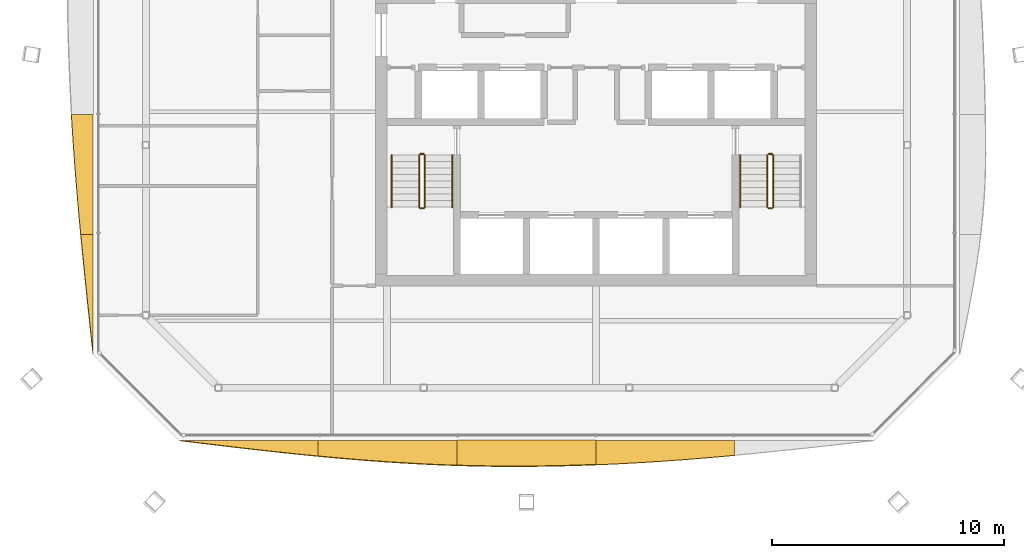
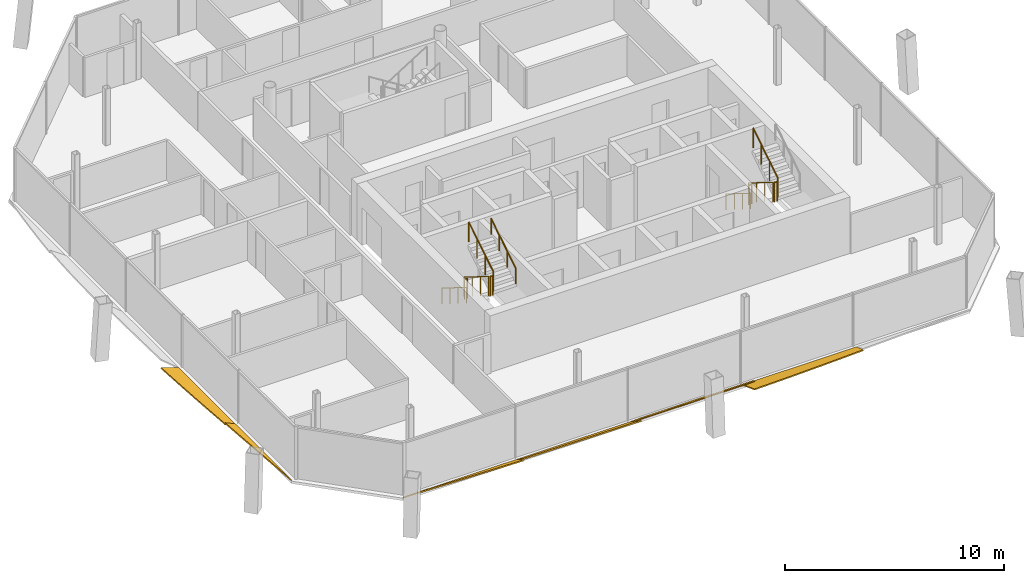
# One storey, part 15 of 17: 11 railings, 6 shading devices.
"""IFC4 building model written with IfcOpenShell, lengths in metres."""

from ifc_helpers import new_model, si_unit, direction, frame, origin, origin_2d, place, context, subcontext, project, spatial, polyline, circle, outline, extrude, material, layer, layer_set, type_object, element, save


model = new_model("IFC4")

# Units and contexts
model_context = context("Model", 3, precision=1e-05, world=origin(), true_north=direction((0.0, 1.0)))
body_context = subcontext(model_context, "Body", "Model", "MODEL_VIEW")
ifc_project = project(units=[si_unit("LENGTHUNIT", "METRE"), si_unit("AREAUNIT", "SQUARE_METRE"), si_unit("VOLUMEUNIT", "CUBIC_METRE"), si_unit("PLANEANGLEUNIT", "RADIAN"), si_unit("MASSUNIT", "GRAM", prefix="KILO")], contexts=[model_context])

# Site, building, storey
site_placement = place(None, origin())
site = spatial("IfcSite", under=ifc_project, at=site_placement, CompositionType="ELEMENT")
building_placement = place(site_placement, origin())
building = spatial("IfcBuilding", under=site, at=building_placement, Name="Tskaro Facet Tower", CompositionType="ELEMENT")
storey_placement = place(building_placement, frame((0.0, 0.0, 229.800048828125)))
storey = spatial("IfcBuildingStorey", under=building, at=storey_placement, Name="L59", CompositionType="ELEMENT", Elevation=229.800048828125)

# Shading devices
ifc_material_1 = material(Name="Bronze anodised aluminium 6063-T6", Category="aluminium")
ifc_layer = layer(ifc_material_1, 0.06005859375, Name="Bronze anodised aluminium 6063-T6")
ifc_layer_set = layer_set([ifc_layer], Name="Bronze anodised aluminium 6063-T6")
shading_device_type = type_object("IfcShadingDeviceType", Name="Bronze sun blade (FN1)", PredefinedType="USERDEFINED", material=ifc_layer_set)
shading_device_1_placement = place(storey_placement, frame((-17.947998046875, -18.656982421875, 0.052001953125), z_axis=(1.2843773e-05, 0.499868493284, 0.866101315815), x_axis=(0.999999999918, -6.420197e-06, -1.1124009e-05)))
element("IfcShadingDevice", 1, at=shading_device_1_placement, inside=storey, type_object=shading_device_type, Name="Fin blade south 1", ObjectType="FIN", PredefinedType="USERDEFINED", context=body_context, shape_type="SweptSolid", body=[
    extrude(outline(polyline([(0.0, 0.0), (5.979248046381824, 0.0), (5.979248047443418, -0.7796451062231018), (5.231689450957543, -0.6937960125518676), (4.484374998743407, -0.6035547790682426), (3.737060547460207, -0.5090434439786047), (2.989501954605221, -0.41147392396838445), (2.2421874987125854, -0.3109682572439599), (1.494873046994476, -0.20858369638820073), (0.7473144533942677, -0.1045643178138634), (0.0, 0.0)])), origin(), (0.0, 0.0, -1.0), 0.06005859375),
])
shading_device_2_placement = place(storey_placement, frame((-11.96875, -18.652587890625, 0.049072265625), z_axis=(4.172042e-06, 0.573620626873, 0.819121099966), x_axis=(0.999999999991, -2.393169e-06, -3.417408e-06)))
element("IfcShadingDevice", 2, at=shading_device_2_placement, inside=storey, type_object=shading_device_type, Name="Fin blade south 2", ObjectType="FIN", PredefinedType="USERDEFINED", context=body_context, shape_type="SweptSolid", body=[
    extrude(outline(polyline([(0.0, 0.0), (5.979248046822963, -2.532310047754525e-21), (5.979248046961518, -1.3105110807461577), (5.231689453691715, -1.2770497543984338), (4.484374999955315, -1.2351281488002501), (3.737060546545921, -1.1848062005905455), (2.989501953172745, -1.1266239153422752), (2.242187500001397, -1.0610613619894547), (1.4946289061160931, -0.9886585461050388), (0.7473144527668284, -0.9094154676890276), (-2.970852046297497e-12, -0.8244121378873306), (0.0, 0.0)])), origin(), (0.0, 0.0, -1.0), 0.06005859375),
])
shading_device_3_placement = place(storey_placement, frame((-5.989501953125, -18.6484375, 0.0458984375), z_axis=(7.142887e-06, 0.642805761098, 0.766029211877), x_axis=(0.999999999974, -4.591489e-06, -5.47166e-06)))
element("IfcShadingDevice", 3, at=shading_device_3_placement, inside=storey, type_object=shading_device_type, Name="Fin blade south 3", ObjectType="FIN", PredefinedType="USERDEFINED", context=body_context, shape_type="SweptSolid", body=[
    extrude(outline(polyline([(0.0, 0.0), (5.979003906097473, 0.0), (5.9790039062682565, -1.3608685978684516), (5.231689453785179, -1.395534737604312), (4.484375000209851, -1.422042752219884), (3.7368164060382507, -1.4405796605657284), (2.98950195273525, -1.4508015087910122), (2.451416015080633, -1.4530522507465689), (2.2421874996758557, -1.452708296895736), (1.4946289057587612, -1.445081144476841), (0.7473144533549233, -1.4281070703848877), (-4.025900402098207e-10, -1.4014120369187553), (0.0, 0.0)])), origin(), (0.0, 0.0, -1.0), 0.06005859375),
])
shading_device_4_placement = place(storey_placement, frame((-0.010498046875, -18.66650390625, 0.056396484375), z_axis=(-9.278361e-06, 0.342017318226, 0.939693648987), x_axis=(0.999999999957, 3.17336e-06, 8.718816e-06)))
element("IfcShadingDevice", 4, at=shading_device_4_placement, inside=storey, type_object=shading_device_type, Name="Fin blade south 4", ObjectType="FIN", PredefinedType="USERDEFINED", context=body_context, shape_type="SweptSolid", body=[
    extrude(outline(polyline([(0.0, 0.0), (5.97924804661763, 0.0), (5.9792480474992535, -0.6750176961011431), (5.231933592663483, -0.7469163466394265), (4.484619141130057, -0.8142679824624496), (3.737060547242004, -0.8771350203213222), (2.9897460937987943, -0.9350586254264801), (2.2421874997460707, -0.9872670452717404), (1.4948730455590664, -1.0339896972518854), (0.7475585942909011, -1.0748512468991869), (-2.9452067109218304e-10, -1.1093717758533541), (0.0, 0.0)])), origin(), (0.0, 0.0, -1.0), 0.06005859375),
])
shading_device_5_placement = place(storey_placement, frame((-21.66650390625, -4.615478515625, 0.056396484375), z_axis=(0.342024852232, -8.48992e-07, 0.93969090687), x_axis=(-2.90376e-07, -1.0, -7.9779e-07)))
element("IfcShadingDevice", 5, at=shading_device_5_placement, inside=storey, type_object=shading_device_type, Name="Fin blade west 4", ObjectType="FIN", PredefinedType="USERDEFINED", context=body_context, shape_type="SweptSolid", body=[
    extrude(outline(polyline([(0.0, 0.0), (5.166259765623138, 0.0), (5.166259765678381, -0.5648021703253528), (4.428222656215858, -0.6373266571282384), (3.6901855468055964, -0.7064512156961433), (2.9521484374475944, -0.7721758460290676), (2.21411132819484, -0.8339582125152013), (1.4760742187107754, -0.8914229838651135), (0.7380371094558386, -0.9446325724817354), (2.257907558859262e-11, -0.9929822303503257), (0.0, 0.0)])), origin(), (0.0, 0.0, -1.0), 0.06005859375),
])
shading_device_6_placement = place(storey_placement, frame((-21.66162109375, -9.78173828125, 0.054443359375), z_axis=(0.422204882235, -2.0346381e-05, 0.906500434089), x_axis=(-8.590342e-06, -0.999999999793, -1.8444003e-05)))
element("IfcShadingDevice", 6, at=shading_device_6_placement, inside=storey, type_object=shading_device_type, Name="Fin blade west 5", ObjectType="FIN", PredefinedType="USERDEFINED", context=body_context, shape_type="SweptSolid", body=[
    extrude(outline(polyline([(0.0, 0.0), (5.166259764555648, 0.0), (4.42822265940327, -0.08716720533542065), (3.690185547959136, -0.17367046992308022), (2.95214843682343, -0.2596280299817175), (2.2141113287102594, -0.3441697900358752), (1.4760742149221904, -0.4269562002842275), (0.7380371068707632, -0.5074567150526427), (-2.0442040793110702e-09, -0.585553098122382), (0.0, 0.0)])), origin(), (0.0, 0.0, -1.0), 0.06005859375),
])

# Railings
ifc_material_2 = material(Name="Stainless steel", Category="steel")
railing_type_1 = type_object("IfcRailingType", Name="RL-GUARD-1100", PredefinedType="GUARDRAIL", material=ifc_material_2)
railing_1_placement = place(storey_placement, frame((-7.625, -6.375, 0.175048828125)))
element("IfcRailing", 7, at=railing_1_placement, inside=storey, type_object=railing_type_1, Name="L59 ST-1 stair guard 1", PredefinedType="GUARDRAIL", context=body_context, shape_type="SweptSolid", body=[
    extrude(circle(Radius=0.02392578125, at=origin_2d()), frame((0.0, 0.0, 1.076171875), z_axis=(0.0, -0.848013881152, 0.529974015752), x_axis=(1.0, 0.0, 0.0)), (0.0, 0.0, 1.0), 2.641357421875),
    extrude(circle(Radius=0.02099609375, at=origin_2d()), origin(), (0.0, 0.0, 1.0), 1.052001953125),
    extrude(circle(Radius=0.02099609375, at=origin_2d()), frame((0.0, -0.74658203125, 0.466552734375)), (0.0, 0.0, 1.0), 1.052001953125),
    extrude(circle(Radius=0.02099609375, at=origin_2d()), frame((0.0, -1.493408203125, 0.933349609375)), (0.0, 0.0, 1.0), 1.052001953125),
    extrude(circle(Radius=0.02099609375, at=origin_2d()), frame((0.0, -2.239990234375, 1.39990234375)), (0.0, 0.0, 1.0), 1.052001953125),
])
railing_2_placement = place(storey_placement, frame((-7.574951171875, -8.6650390625, 1.574951171875)))
element("IfcRailing", 8, at=railing_2_placement, inside=storey, type_object=railing_type_1, Name="L59 ST-1 stair guard 2", PredefinedType="GUARDRAIL", context=body_context, shape_type="SweptSolid", body=[
    extrude(circle(Radius=0.02392578125, at=origin_2d()), frame((0.0, 0.0, 1.076171875), z_axis=(1.0, 0.0, 0.0), x_axis=(0.0, 1.0, 0.0)), (0.0, 0.0, 1.0), 0.14990234375),
    extrude(circle(Radius=0.02099609375, at=origin_2d()), origin(), (0.0, 0.0, 1.0), 1.052001953125),
    extrude(circle(Radius=0.02099609375, at=origin_2d()), frame((0.14990234375, 0.0, 0.0)), (0.0, 0.0, 1.0), 1.052001953125),
])
railing_3_placement = place(storey_placement, frame((-7.375, -8.614990234375, 1.75)))
element("IfcRailing", 9, at=railing_3_placement, inside=storey, type_object=railing_type_1, Name="L59 ST-1 stair guard 3", PredefinedType="GUARDRAIL", context=body_context, shape_type="SweptSolid", body=[
    extrude(circle(Radius=0.02392578125, at=origin_2d()), frame((0.0, 0.0, 1.076171875), z_axis=(0.0, 0.848013881152, 0.529974015752), x_axis=(-1.0, 0.0, 0.0)), (0.0, 0.0, 1.0), 2.641357421875),
    extrude(circle(Radius=0.02099609375, at=origin_2d()), origin(), (0.0, 0.0, 1.0), 1.052001953125),
    extrude(circle(Radius=0.02099609375, at=origin_2d()), frame((0.0, 0.74658203125, 0.466552734375)), (0.0, 0.0, 1.0), 1.052001953125),
    extrude(circle(Radius=0.02099609375, at=origin_2d()), frame((0.0, 1.493408203125, 0.933349609375)), (0.0, 0.0, 1.0), 1.052001953125),
    extrude(circle(Radius=0.02099609375, at=origin_2d()), frame((0.0, 2.239990234375, 1.39990234375)), (0.0, 0.0, 1.0), 1.052001953125),
])
railing_4_placement = place(storey_placement, frame((-7.574951171875, -6.324951171875, 0.0)))
element("IfcRailing", 10, at=railing_4_placement, inside=storey, type_object=railing_type_1, Name="L59 ST-1 stair guard 4", PredefinedType="GUARDRAIL", context=body_context, shape_type="SweptSolid", body=[
    extrude(circle(Radius=0.02392578125, at=origin_2d()), frame((0.0, 0.0, 1.076171875), z_axis=(1.0, 0.0, 0.0), x_axis=(0.0, 1.0, 0.0)), (0.0, 0.0, 1.0), 0.14990234375),
    extrude(circle(Radius=0.02099609375, at=origin_2d()), origin(), (0.0, 0.0, 1.0), 1.052001953125),
    extrude(circle(Radius=0.02099609375, at=origin_2d()), frame((0.14990234375, 0.0, 0.0)), (0.0, 0.0, 1.0), 1.052001953125),
])
railing_5_placement = place(storey_placement, frame((7.375, -6.375, 0.175048828125)))
element("IfcRailing", 11, at=railing_5_placement, inside=storey, type_object=railing_type_1, Name="L59 ST-2 stair guard 1", PredefinedType="GUARDRAIL", context=body_context, shape_type="SweptSolid", body=[
    extrude(circle(Radius=0.02392578125, at=origin_2d()), frame((0.0, 0.0, 1.076171875), z_axis=(0.0, -0.848013881152, 0.529974015752), x_axis=(1.0, 0.0, 0.0)), (0.0, 0.0, 1.0), 2.641357421875),
    extrude(circle(Radius=0.02099609375, at=origin_2d()), origin(), (0.0, 0.0, 1.0), 1.052001953125),
    extrude(circle(Radius=0.02099609375, at=origin_2d()), frame((0.0, -0.74658203125, 0.466552734375)), (0.0, 0.0, 1.0), 1.052001953125),
    extrude(circle(Radius=0.02099609375, at=origin_2d()), frame((0.0, -1.493408203125, 0.933349609375)), (0.0, 0.0, 1.0), 1.052001953125),
    extrude(circle(Radius=0.02099609375, at=origin_2d()), frame((0.0, -2.239990234375, 1.39990234375)), (0.0, 0.0, 1.0), 1.052001953125),
])
railing_6_placement = place(storey_placement, frame((7.425048828125, -8.6650390625, 1.574951171875)))
element("IfcRailing", 12, at=railing_6_placement, inside=storey, type_object=railing_type_1, Name="L59 ST-2 stair guard 2", PredefinedType="GUARDRAIL", context=body_context, shape_type="SweptSolid", body=[
    extrude(circle(Radius=0.02392578125, at=origin_2d()), frame((0.0, 0.0, 1.076171875), z_axis=(1.0, 0.0, 0.0), x_axis=(0.0, 1.0, 0.0)), (0.0, 0.0, 1.0), 0.14990234375),
    extrude(circle(Radius=0.02099609375, at=origin_2d()), origin(), (0.0, 0.0, 1.0), 1.052001953125),
    extrude(circle(Radius=0.02099609375, at=origin_2d()), frame((0.14990234375, 0.0, 0.0)), (0.0, 0.0, 1.0), 1.052001953125),
])
railing_7_placement = place(storey_placement, frame((7.625, -8.614990234375, 1.75)))
element("IfcRailing", 13, at=railing_7_placement, inside=storey, type_object=railing_type_1, Name="L59 ST-2 stair guard 3", PredefinedType="GUARDRAIL", context=body_context, shape_type="SweptSolid", body=[
    extrude(circle(Radius=0.02392578125, at=origin_2d()), frame((0.0, 0.0, 1.076171875), z_axis=(0.0, 0.848013881152, 0.529974015752), x_axis=(-1.0, 0.0, 0.0)), (0.0, 0.0, 1.0), 2.641357421875),
    extrude(circle(Radius=0.02099609375, at=origin_2d()), origin(), (0.0, 0.0, 1.0), 1.052001953125),
    extrude(circle(Radius=0.02099609375, at=origin_2d()), frame((0.0, 0.74658203125, 0.466552734375)), (0.0, 0.0, 1.0), 1.052001953125),
    extrude(circle(Radius=0.02099609375, at=origin_2d()), frame((0.0, 1.493408203125, 0.933349609375)), (0.0, 0.0, 1.0), 1.052001953125),
    extrude(circle(Radius=0.02099609375, at=origin_2d()), frame((0.0, 2.239990234375, 1.39990234375)), (0.0, 0.0, 1.0), 1.052001953125),
])
railing_8_placement = place(storey_placement, frame((7.425048828125, -6.324951171875, 0.0)))
element("IfcRailing", 14, at=railing_8_placement, inside=storey, type_object=railing_type_1, Name="L59 ST-2 stair guard 4", PredefinedType="GUARDRAIL", context=body_context, shape_type="SweptSolid", body=[
    extrude(circle(Radius=0.02392578125, at=origin_2d()), frame((0.0, 0.0, 1.076171875), z_axis=(1.0, 0.0, 0.0), x_axis=(0.0, 1.0, 0.0)), (0.0, 0.0, 1.0), 0.14990234375),
    extrude(circle(Radius=0.02099609375, at=origin_2d()), origin(), (0.0, 0.0, 1.0), 1.052001953125),
    extrude(circle(Radius=0.02099609375, at=origin_2d()), frame((0.14990234375, 0.0, 0.0)), (0.0, 0.0, 1.0), 1.052001953125),
])
railing_type_2 = type_object("IfcRailingType", Name="RL-HANDRAIL-900", PredefinedType="HANDRAIL", material=ifc_material_2)
railing_9_placement = place(storey_placement, frame((-8.800048828125, -6.375, 0.175048828125)))
element("IfcRailing", 15, at=railing_9_placement, inside=storey, type_object=railing_type_2, Name="L59 ST-1 stair handrail 1", PredefinedType="HANDRAIL", context=body_context, shape_type="SweptSolid", body=[
    extrude(circle(Radius=0.02392578125, at=origin_2d()), frame((0.0, 0.0, 0.8759765625), z_axis=(0.0, -0.848013881152, 0.529974015752), x_axis=(1.0, 0.0, 0.0)), (0.0, 0.0, 1.0), 2.641357421875),
    extrude(circle(Radius=0.02099609375, at=origin_2d()), origin(), (0.0, 0.0, 1.0), 0.851806640625),
    extrude(circle(Radius=0.02099609375, at=origin_2d()), frame((0.0, -0.74658203125, 0.466552734375)), (0.0, 0.0, 1.0), 0.851806640625),
    extrude(circle(Radius=0.02099609375, at=origin_2d()), frame((0.0, -1.493408203125, 0.933349609375)), (0.0, 0.0, 1.0), 0.851806640625),
    extrude(circle(Radius=0.02099609375, at=origin_2d()), frame((0.0, -2.239990234375, 1.39990234375)), (0.0, 0.0, 1.0), 0.851806640625),
])
railing_10_placement = place(storey_placement, frame((-6.199951171875, -8.614990234375, 1.75)))
element("IfcRailing", 16, at=railing_10_placement, inside=storey, type_object=railing_type_2, Name="L59 ST-1 stair handrail 2", PredefinedType="HANDRAIL", context=body_context, shape_type="SweptSolid", body=[
    extrude(circle(Radius=0.02392578125, at=origin_2d()), frame((0.0, 0.0, 0.8759765625), z_axis=(0.0, 0.848013881152, 0.529974015752), x_axis=(-1.0, 0.0, 0.0)), (0.0, 0.0, 1.0), 2.641357421875),
    extrude(circle(Radius=0.02099609375, at=origin_2d()), origin(), (0.0, 0.0, 1.0), 0.851806640625),
    extrude(circle(Radius=0.02099609375, at=origin_2d()), frame((0.0, 0.74658203125, 0.466552734375)), (0.0, 0.0, 1.0), 0.851806640625),
    extrude(circle(Radius=0.02099609375, at=origin_2d()), frame((0.0, 1.493408203125, 0.933349609375)), (0.0, 0.0, 1.0), 0.851806640625),
    extrude(circle(Radius=0.02099609375, at=origin_2d()), frame((0.0, 2.239990234375, 1.39990234375)), (0.0, 0.0, 1.0), 0.851806640625),
])
railing_11_placement = place(storey_placement, frame((6.199951171875, -6.375, 0.175048828125)))
element("IfcRailing", 17, at=railing_11_placement, inside=storey, type_object=railing_type_2, Name="L59 ST-2 stair handrail 1", PredefinedType="HANDRAIL", context=body_context, shape_type="SweptSolid", body=[
    extrude(circle(Radius=0.02392578125, at=origin_2d()), frame((0.0, 0.0, 0.8759765625), z_axis=(0.0, -0.848013881152, 0.529974015752), x_axis=(1.0, 0.0, 0.0)), (0.0, 0.0, 1.0), 2.641357421875),
    extrude(circle(Radius=0.02099609375, at=origin_2d()), origin(), (0.0, 0.0, 1.0), 0.851806640625),
    extrude(circle(Radius=0.02099609375, at=origin_2d()), frame((0.0, -0.74658203125, 0.466552734375)), (0.0, 0.0, 1.0), 0.851806640625),
    extrude(circle(Radius=0.02099609375, at=origin_2d()), frame((0.0, -1.493408203125, 0.933349609375)), (0.0, 0.0, 1.0), 0.851806640625),
    extrude(circle(Radius=0.02099609375, at=origin_2d()), frame((0.0, -2.239990234375, 1.39990234375)), (0.0, 0.0, 1.0), 0.851806640625),
])

save(model, "model.ifc")
